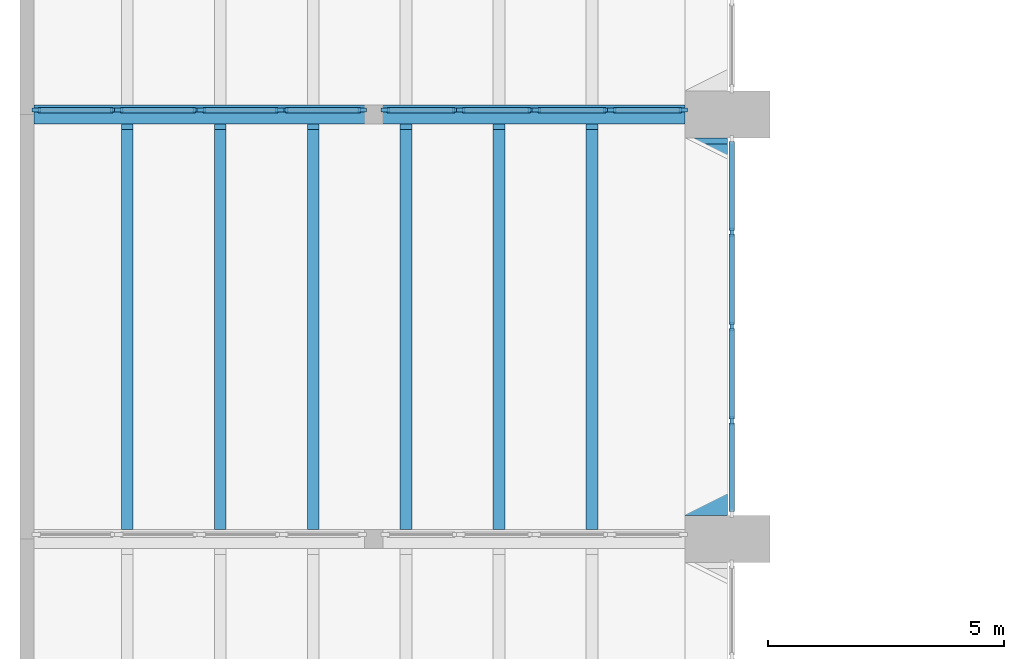
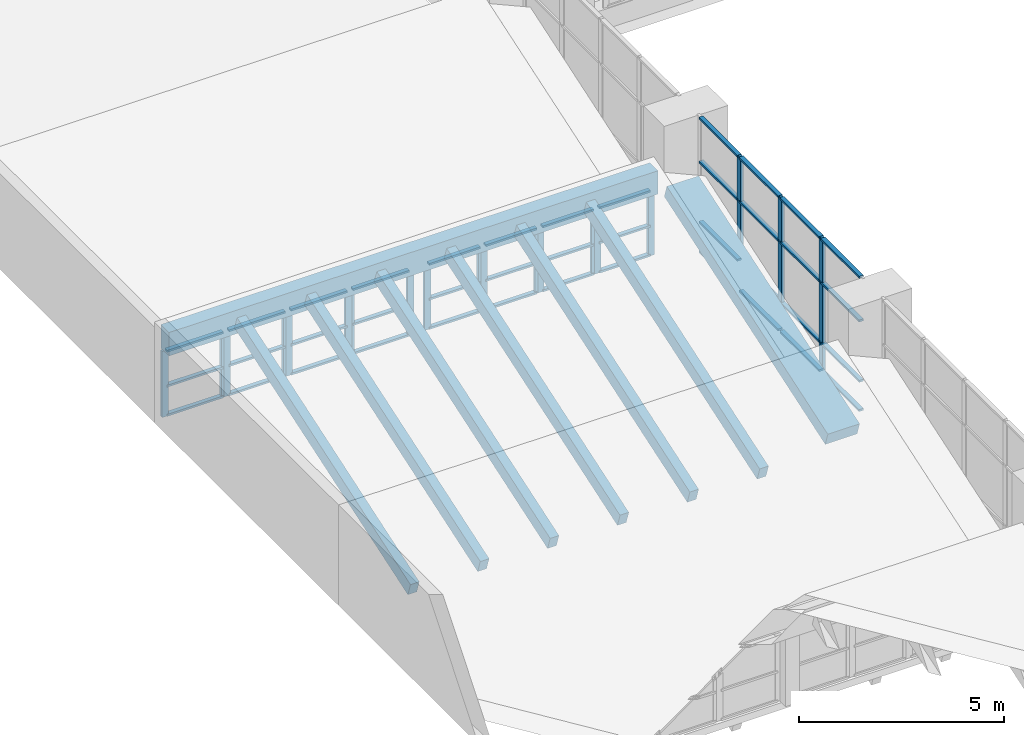
# One storey, part 14 of 43: 59 members, 8 beams, 9 elements without a shape of their own.
"""IFC4 building model written with IfcOpenShell, lengths in metres."""

from ifc_helpers import new_model, si_unit, direction, frame, origin, origin_2d, place, context, subcontext, project, spatial, rectangle, extrude, material, material_profile, profile_set, type_object, element, aggregate, save


model = new_model("IFC4")

# Units and contexts
model_context = context("Model", 3, precision=1e-05, world=origin(), true_north=direction((0.0, 1.0)))
body_context = subcontext(model_context, "Body", "Model", "MODEL_VIEW")
ifc_project = project(units=[si_unit("LENGTHUNIT", "METRE"), si_unit("AREAUNIT", "SQUARE_METRE"), si_unit("VOLUMEUNIT", "CUBIC_METRE"), si_unit("PLANEANGLEUNIT", "RADIAN"), si_unit("MASSUNIT", "GRAM", prefix="KILO")], contexts=[model_context])

# Site, building, storey
site_placement = place(None, origin())
site = spatial("IfcSite", under=ifc_project, at=site_placement, CompositionType="ELEMENT")
building_placement = place(site_placement, origin())
building = spatial("IfcBuilding", under=site, at=building_placement, Name="Elmora Arch Market Hall", CompositionType="ELEMENT")
storey_placement = place(building_placement, frame((0.0, 0.0, 10.199951171875)))
storey = spatial("IfcBuildingStorey", under=building, at=storey_placement, Name="L02", CompositionType="ELEMENT", Elevation=10.199951171875)

# Curtain wall, members
ifc_material_1 = material(Name="Aluminium", Category="aluminium")
curtain_wall_type_1 = type_object("IfcCurtainWallType", Name="Hall front curtain wall", PredefinedType="NOTDEFINED", material=ifc_material_1)
curtain_wall_1_placement = place(storey_placement, origin())
curtain_wall_1 = element("IfcCurtainWall", 1, at=curtain_wall_1_placement, inside=storey, type_object=curtain_wall_type_1, Name="Hall west glazing L02 7", PredefinedType="NOTDEFINED")
ifc_material_2 = material(Name="Aluminium", Category="aluminium")
ifc_material_profile_1 = material_profile(ifc_material_2, rectangle(XDim=0.080078125, YDim=0.179931640625, at=origin_2d()), Name="AL 80x180")
ifc_profile_set_1 = profile_set([ifc_material_profile_1], Name="Aluminium")
member_type_1 = type_object("IfcMemberType", Name="Mullion 80x180", PredefinedType="MULLION", material=ifc_profile_set_1)
member_1_placement = place(storey_placement, frame((15.090087890625, 83.5, 0.166748046875), z_axis=(0.0, 0.0, 1.0), x_axis=(-1.0, 0.0, 0.0)))
member_1 = element("IfcMember", 2, at=member_1_placement, type_object=member_type_1, Name="CW2 mullion 2", PredefinedType="MULLION", context=body_context, shape_type="SweptSolid", body=[
    extrude(rectangle(XDim=0.080078125, YDim=0.179931640625, at=origin_2d()), origin(), (0.0, 0.0, 1.0), 4.033203125),
])
member_2_placement = place(storey_placement, frame((15.090087890625, 85.5, 0.166748046875), z_axis=(0.0, 0.0, 1.0), x_axis=(-1.0, 0.0, 0.0)))
member_2 = element("IfcMember", 3, at=member_2_placement, type_object=member_type_1, Name="CW2 mullion 3", PredefinedType="MULLION", context=body_context, shape_type="SweptSolid", body=[
    extrude(rectangle(XDim=0.080078125, YDim=0.179931640625, at=origin_2d()), origin(), (0.0, 0.0, 1.0), 4.033203125),
])
member_3_placement = place(storey_placement, frame((15.090087890625, 87.5, 0.166748046875), z_axis=(0.0, 0.0, 1.0), x_axis=(-1.0, 0.0, 0.0)))
member_3 = element("IfcMember", 4, at=member_3_placement, type_object=member_type_1, Name="CW2 mullion 4", PredefinedType="MULLION", context=body_context, shape_type="SweptSolid", body=[
    extrude(rectangle(XDim=0.080078125, YDim=0.179931640625, at=origin_2d()), origin(), (0.0, 0.0, 1.0), 4.033203125),
])

ifc_material_3 = material(Name="Aluminium", Category="aluminium")
curtain_wall_type_2 = type_object("IfcCurtainWallType", Name="Sawtooth glazing curtain wall", PredefinedType="NOTDEFINED", material=ifc_material_3)
curtain_wall_2_placement = place(storey_placement, origin())
curtain_wall_2 = element("IfcCurtainWall", 5, at=curtain_wall_2_placement, inside=storey, type_object=curtain_wall_type_2, Name="Sawtooth riser 7 part 1.1", PredefinedType="NOTDEFINED")
member_4_placement = place(storey_placement, frame((0.340087890625, 90.090087890625, 0.030029296875), z_axis=(0.0, 0.0, 1.0), x_axis=(0.0, 1.0, 0.0)))
member_4 = element("IfcMember", 6, at=member_4_placement, type_object=member_type_1, Name="CW7 mullion 1", PredefinedType="MULLION", context=body_context, shape_type="SweptSolid", body=[
    extrude(rectangle(XDim=0.080078125, YDim=0.179931640625, at=origin_2d()), origin(), (0.0, 0.0, 1.0), 1.969970703125),
])
member_5_placement = place(storey_placement, frame((2.010009765625, 90.090087890625, 0.030029296875), z_axis=(0.0, 0.0, 1.0), x_axis=(0.0, 1.0, 0.0)))
member_5 = element("IfcMember", 7, at=member_5_placement, type_object=member_type_1, Name="CW7 mullion 2", PredefinedType="MULLION", context=body_context, shape_type="SweptSolid", body=[
    extrude(rectangle(XDim=0.080078125, YDim=0.179931640625, at=origin_2d()), origin(), (0.0, 0.0, 1.0), 1.969970703125),
])

curtain_wall_3_placement = place(storey_placement, origin())
curtain_wall_3 = element("IfcCurtainWall", 8, at=curtain_wall_3_placement, inside=storey, type_object=curtain_wall_type_2, Name="Sawtooth riser 7 part 1.2", PredefinedType="NOTDEFINED")
member_6_placement = place(storey_placement, frame((2.090087890625, 90.090087890625, 0.030029296875), z_axis=(0.0, 0.0, 1.0), x_axis=(0.0, 1.0, 0.0)))
member_6 = element("IfcMember", 9, at=member_6_placement, type_object=member_type_1, Name="CW7 mullion 1", PredefinedType="MULLION", context=body_context, shape_type="SweptSolid", body=[
    extrude(rectangle(XDim=0.080078125, YDim=0.179931640625, at=origin_2d()), origin(), (0.0, 0.0, 1.0), 1.969970703125),
])
member_7_placement = place(storey_placement, frame((3.760009765625, 90.090087890625, 0.030029296875), z_axis=(0.0, 0.0, 1.0), x_axis=(0.0, 1.0, 0.0)))
member_7 = element("IfcMember", 10, at=member_7_placement, type_object=member_type_1, Name="CW7 mullion 2", PredefinedType="MULLION", context=body_context, shape_type="SweptSolid", body=[
    extrude(rectangle(XDim=0.080078125, YDim=0.179931640625, at=origin_2d()), origin(), (0.0, 0.0, 1.0), 1.969970703125),
])

curtain_wall_4_placement = place(storey_placement, origin())
curtain_wall_4 = element("IfcCurtainWall", 11, at=curtain_wall_4_placement, inside=storey, type_object=curtain_wall_type_2, Name="Sawtooth riser 7 part 1.3", PredefinedType="NOTDEFINED")
member_8_placement = place(storey_placement, frame((3.840087890625, 90.090087890625, 0.030029296875), z_axis=(0.0, 0.0, 1.0), x_axis=(0.0, 1.0, 0.0)))
member_8 = element("IfcMember", 12, at=member_8_placement, type_object=member_type_1, Name="CW7 mullion 1", PredefinedType="MULLION", context=body_context, shape_type="SweptSolid", body=[
    extrude(rectangle(XDim=0.080078125, YDim=0.179931640625, at=origin_2d()), origin(), (0.0, 0.0, 1.0), 1.969970703125),
])
member_9_placement = place(storey_placement, frame((5.510009765625, 90.090087890625, 0.030029296875), z_axis=(0.0, 0.0, 1.0), x_axis=(0.0, 1.0, 0.0)))
member_9 = element("IfcMember", 13, at=member_9_placement, type_object=member_type_1, Name="CW7 mullion 2", PredefinedType="MULLION", context=body_context, shape_type="SweptSolid", body=[
    extrude(rectangle(XDim=0.080078125, YDim=0.179931640625, at=origin_2d()), origin(), (0.0, 0.0, 1.0), 1.969970703125),
])

curtain_wall_5_placement = place(storey_placement, origin())
curtain_wall_5 = element("IfcCurtainWall", 14, at=curtain_wall_5_placement, inside=storey, type_object=curtain_wall_type_2, Name="Sawtooth riser 7 part 1.4", PredefinedType="NOTDEFINED")
member_10_placement = place(storey_placement, frame((5.590087890625, 90.090087890625, 0.030029296875), z_axis=(0.0, 0.0, 1.0), x_axis=(0.0, 1.0, 0.0)))
member_10 = element("IfcMember", 15, at=member_10_placement, type_object=member_type_1, Name="CW7 mullion 1", PredefinedType="MULLION", context=body_context, shape_type="SweptSolid", body=[
    extrude(rectangle(XDim=0.080078125, YDim=0.179931640625, at=origin_2d()), origin(), (0.0, 0.0, 1.0), 1.969970703125),
])
member_11_placement = place(storey_placement, frame((7.260009765625, 90.090087890625, 0.030029296875), z_axis=(0.0, 0.0, 1.0), x_axis=(0.0, 1.0, 0.0)))
member_11 = element("IfcMember", 16, at=member_11_placement, type_object=member_type_1, Name="CW7 mullion 2", PredefinedType="MULLION", context=body_context, shape_type="SweptSolid", body=[
    extrude(rectangle(XDim=0.080078125, YDim=0.179931640625, at=origin_2d()), origin(), (0.0, 0.0, 1.0), 1.969970703125),
])

curtain_wall_6_placement = place(storey_placement, origin())
curtain_wall_6 = element("IfcCurtainWall", 17, at=curtain_wall_6_placement, inside=storey, type_object=curtain_wall_type_2, Name="Sawtooth riser 7 part 2.1", PredefinedType="NOTDEFINED")
member_12_placement = place(storey_placement, frame((7.739990234375, 90.090087890625, 0.030029296875), z_axis=(0.0, 0.0, 1.0), x_axis=(0.0, 1.0, 0.0)))
member_12 = element("IfcMember", 18, at=member_12_placement, type_object=member_type_1, Name="CW7 mullion 1", PredefinedType="MULLION", context=body_context, shape_type="SweptSolid", body=[
    extrude(rectangle(XDim=0.080078125, YDim=0.179931640625, at=origin_2d()), origin(), (0.0, 0.0, 1.0), 1.969970703125),
])
member_13_placement = place(storey_placement, frame((9.260009765625, 90.090087890625, 0.030029296875), z_axis=(0.0, 0.0, 1.0), x_axis=(0.0, 1.0, 0.0)))
member_13 = element("IfcMember", 19, at=member_13_placement, type_object=member_type_1, Name="CW7 mullion 2", PredefinedType="MULLION", context=body_context, shape_type="SweptSolid", body=[
    extrude(rectangle(XDim=0.080078125, YDim=0.179931640625, at=origin_2d()), origin(), (0.0, 0.0, 1.0), 1.969970703125),
])

curtain_wall_7_placement = place(storey_placement, origin())
curtain_wall_7 = element("IfcCurtainWall", 20, at=curtain_wall_7_placement, inside=storey, type_object=curtain_wall_type_2, Name="Sawtooth riser 7 part 2.2", PredefinedType="NOTDEFINED")
member_14_placement = place(storey_placement, frame((9.340087890625, 90.090087890625, 0.030029296875), z_axis=(0.0, 0.0, 1.0), x_axis=(0.0, 1.0, 0.0)))
member_14 = element("IfcMember", 21, at=member_14_placement, type_object=member_type_1, Name="CW7 mullion 1", PredefinedType="MULLION", context=body_context, shape_type="SweptSolid", body=[
    extrude(rectangle(XDim=0.080078125, YDim=0.179931640625, at=origin_2d()), origin(), (0.0, 0.0, 1.0), 1.969970703125),
])
member_15_placement = place(storey_placement, frame((10.860107421875, 90.090087890625, 0.030029296875), z_axis=(0.0, 0.0, 1.0), x_axis=(0.0, 1.0, 0.0)))
member_15 = element("IfcMember", 22, at=member_15_placement, type_object=member_type_1, Name="CW7 mullion 2", PredefinedType="MULLION", context=body_context, shape_type="SweptSolid", body=[
    extrude(rectangle(XDim=0.080078125, YDim=0.179931640625, at=origin_2d()), origin(), (0.0, 0.0, 1.0), 1.969970703125),
])

curtain_wall_8_placement = place(storey_placement, origin())
curtain_wall_8 = element("IfcCurtainWall", 23, at=curtain_wall_8_placement, inside=storey, type_object=curtain_wall_type_2, Name="Sawtooth riser 7 part 2.3", PredefinedType="NOTDEFINED")
member_16_placement = place(storey_placement, frame((10.93994140625, 90.090087890625, 0.030029296875), z_axis=(0.0, 0.0, 1.0), x_axis=(0.0, 1.0, 0.0)))
member_16 = element("IfcMember", 24, at=member_16_placement, type_object=member_type_1, Name="CW7 mullion 1", PredefinedType="MULLION", context=body_context, shape_type="SweptSolid", body=[
    extrude(rectangle(XDim=0.080078125, YDim=0.179931640625, at=origin_2d()), origin(), (0.0, 0.0, 1.0), 1.969970703125),
])
member_17_placement = place(storey_placement, frame((12.4599609375, 90.090087890625, 0.030029296875), z_axis=(0.0, 0.0, 1.0), x_axis=(0.0, 1.0, 0.0)))
member_17 = element("IfcMember", 25, at=member_17_placement, type_object=member_type_1, Name="CW7 mullion 2", PredefinedType="MULLION", context=body_context, shape_type="SweptSolid", body=[
    extrude(rectangle(XDim=0.080078125, YDim=0.179931640625, at=origin_2d()), origin(), (0.0, 0.0, 1.0), 1.969970703125),
])

curtain_wall_9_placement = place(storey_placement, origin())
curtain_wall_9 = element("IfcCurtainWall", 26, at=curtain_wall_9_placement, inside=storey, type_object=curtain_wall_type_2, Name="Sawtooth riser 7 part 2.4", PredefinedType="NOTDEFINED")
member_18_placement = place(storey_placement, frame((12.5400390625, 90.090087890625, 0.030029296875), z_axis=(0.0, 0.0, 1.0), x_axis=(0.0, 1.0, 0.0)))
member_18 = element("IfcMember", 27, at=member_18_placement, type_object=member_type_1, Name="CW7 mullion 1", PredefinedType="MULLION", context=body_context, shape_type="SweptSolid", body=[
    extrude(rectangle(XDim=0.080078125, YDim=0.179931640625, at=origin_2d()), origin(), (0.0, 0.0, 1.0), 1.969970703125),
])
member_19_placement = place(storey_placement, frame((14.06005859375, 90.090087890625, 0.030029296875), z_axis=(0.0, 0.0, 1.0), x_axis=(0.0, 1.0, 0.0)))
member_19 = element("IfcMember", 28, at=member_19_placement, type_object=member_type_1, Name="CW7 mullion 2", PredefinedType="MULLION", context=body_context, shape_type="SweptSolid", body=[
    extrude(rectangle(XDim=0.080078125, YDim=0.179931640625, at=origin_2d()), origin(), (0.0, 0.0, 1.0), 1.969970703125),
])

# Beams
ifc_material_4 = material(Name="Concrete C32/40", Category="concrete")
ifc_material_profile_2 = material_profile(ifc_material_4, rectangle(XDim=0.39990234375, YDim=0.699951171875, at=origin_2d()), Name="Ridge beam 400x700")
ifc_profile_set_2 = profile_set([ifc_material_profile_2], Name="Concrete C32/40")
beam_type_1 = type_object("IfcBeamType", Name="Ridge beam 400x700", PredefinedType="BEAM", material=ifc_profile_set_2)
beam_1_placement = place(storey_placement, frame((0.300048828125, 90.0, 2.35009765625), z_axis=(1.0, 0.0, 0.0), x_axis=(0.0, 1.0, 0.0)))
element("IfcBeam", 29, at=beam_1_placement, inside=storey, type_object=beam_type_1, Name="Ridge beam RB7 L02.1", PredefinedType="BEAM", context=body_context, shape_type="SweptSolid", body=[
    extrude(rectangle(XDim=0.39990234375, YDim=0.699951171875, at=origin_2d()), origin(), (0.0, 0.0, 1.0), 13.800048828125),
])
ifc_material_5 = material(Name="Concrete C32/40", Category="concrete")
ifc_material_profile_3 = material_profile(ifc_material_5, rectangle(XDim=0.89990234375, YDim=0.39990234375, at=origin_2d()), Name="Sawtooth edge beam 900x400")
ifc_profile_set_3 = profile_set([ifc_material_profile_3], Name="Concrete C32/40")
beam_type_2 = type_object("IfcBeamType", Name="Sawtooth edge beam 900x400", PredefinedType="BEAM", material=ifc_profile_set_3)
beam_2_placement = place(storey_placement, frame((14.550048828125, 81.563232421875, -0.322998046875), z_axis=(0.0, 0.948683298051, 0.316227766017), x_axis=(-1.0, 0.0, 0.0)))
element("IfcBeam", 30, at=beam_2_placement, inside=storey, type_object=beam_type_2, Name="Sawtooth edge beam 7", PredefinedType="BEAM", context=body_context, shape_type="SweptSolid", body=[
    extrude(rectangle(XDim=0.89990234375, YDim=0.39990234375, at=origin_2d()), origin(), (0.0, 0.0, 1.0), 8.29931640625),
])
ifc_material_6 = material(Name="Concrete C32/40", Category="concrete")
ifc_material_profile_4 = material_profile(ifc_material_6, rectangle(XDim=0.25, YDim=0.39990234375, at=origin_2d()), Name="Sawtooth rafter 250x400")
ifc_profile_set_4 = profile_set([ifc_material_profile_4], Name="Concrete C32/40")
beam_type_3 = type_object("IfcBeamType", Name="Sawtooth rafter 250x400", PredefinedType="BEAM", material=ifc_profile_set_4)
for number, where, z_axis, x_axis, name in (
    (31, (2.271484375, 81.26318359375, -0.443115234375), (0.0, 0.94868603135, 0.316219565999), (-1.0, 0.0, 0.0), "Sawtooth rafter 7.1"),
    (32, (4.242919921875, 81.26318359375, -0.443115234375), (0.0, 0.94868603135, 0.316219565999), (-1.0, 0.0, 0.0), "Sawtooth rafter 7.2"),
    (33, (6.21435546875, 81.26318359375, -0.443115234375), (0.0, 0.94868603135, 0.316219565999), (-1.0, 0.0, 0.0), "Sawtooth rafter 7.3"),
    (34, (8.185791015625, 81.26318359375, -0.443115234375), (0.0, 0.94868603135, 0.316219565999), (-1.0, 0.0, 0.0), "Sawtooth rafter 7.4"),
    (35, (10.156982421875, 81.26318359375, -0.443115234375), (0.0, 0.94868603135, 0.316219565999), (-1.0, 0.0, 0.0), "Sawtooth rafter 7.5"),
    (36, (12.128662109375, 81.26318359375, -0.443115234375), (0.0, 0.94868603135, 0.316219565999), (-1.0, 0.0, 0.0), "Sawtooth rafter 7.6"),
):
    element("IfcBeam", number, at=place(storey_placement, frame(where, z_axis=z_axis, x_axis=x_axis)), inside=storey, type_object=beam_type_3, Name=name, PredefinedType="BEAM", context=body_context, shape_type="SweptSolid", body=[
        extrude(rectangle(XDim=0.25, YDim=0.39990234375, at=origin_2d()), origin(), (0.0, 0.0, 1.0), 8.931884765625),
    ])

# Member
ifc_material_7 = material(Name="Aluminium", Category="aluminium")
ifc_material_profile_5 = material_profile(ifc_material_7, rectangle(XDim=0.1201171875, YDim=0.06005859375, at=origin_2d()), Name="AL 120x60")
ifc_profile_set_5 = profile_set([ifc_material_profile_5], Name="Aluminium")
member_type_2 = type_object("IfcMemberType", Name="Transom 120x60", PredefinedType="USERDEFINED", material=ifc_profile_set_5)
member_20_placement = place(storey_placement, frame((15.090087890625, 81.580078125, 0.19677734375), z_axis=(0.0, 1.0, 0.0), x_axis=(-1.0, 0.0, 0.0)))
member_20 = element("IfcMember", 37, at=member_20_placement, type_object=member_type_2, Name="CW2 transom 1.1", ObjectType="TRANSOM", PredefinedType="USERDEFINED", context=body_context, shape_type="SweptSolid", body=[
    extrude(rectangle(XDim=0.1201171875, YDim=0.06005859375, at=origin_2d()), origin(), (0.0, 0.0, 1.0), 1.8798828125),
])

member_21_placement = place(storey_placement, frame((15.090087890625, 81.580078125, 1.066650390625), z_axis=(0.0, 1.0, 0.0), x_axis=(-1.0, 0.0, 0.0)))
member_21 = element("IfcMember", 38, at=member_21_placement, type_object=member_type_2, Name="CW2 transom 1.2", ObjectType="TRANSOM", PredefinedType="USERDEFINED", context=body_context, shape_type="SweptSolid", body=[
    extrude(rectangle(XDim=0.1201171875, YDim=0.06005859375, at=origin_2d()), origin(), (0.0, 0.0, 1.0), 1.8798828125),
])

member_22_placement = place(storey_placement, frame((15.090087890625, 81.580078125, 2.86669921875), z_axis=(0.0, 1.0, 0.0), x_axis=(-1.0, 0.0, 0.0)))
member_22 = element("IfcMember", 39, at=member_22_placement, type_object=member_type_2, Name="CW2 transom 1.3", ObjectType="TRANSOM", PredefinedType="USERDEFINED", context=body_context, shape_type="SweptSolid", body=[
    extrude(rectangle(XDim=0.1201171875, YDim=0.06005859375, at=origin_2d()), origin(), (0.0, 0.0, 1.0), 1.8798828125),
])

member_23_placement = place(storey_placement, frame((15.090087890625, 81.580078125, 4.170166015625), z_axis=(0.0, 1.0, 0.0), x_axis=(-1.0, 0.0, 0.0)))
member_23 = element("IfcMember", 40, at=member_23_placement, type_object=member_type_2, Name="CW2 transom 1.4", ObjectType="TRANSOM", PredefinedType="USERDEFINED", context=body_context, shape_type="SweptSolid", body=[
    extrude(rectangle(XDim=0.1201171875, YDim=0.06005859375, at=origin_2d()), origin(), (0.0, 0.0, 1.0), 1.8798828125),
])

member_24_placement = place(storey_placement, frame((15.090087890625, 83.5400390625, 0.19677734375), z_axis=(0.0, 1.0, 0.0), x_axis=(-1.0, 0.0, 0.0)))
member_24 = element("IfcMember", 41, at=member_24_placement, type_object=member_type_2, Name="CW2 transom 2.1", ObjectType="TRANSOM", PredefinedType="USERDEFINED", context=body_context, shape_type="SweptSolid", body=[
    extrude(rectangle(XDim=0.1201171875, YDim=0.06005859375, at=origin_2d()), origin(), (0.0, 0.0, 1.0), 1.919921875),
])

member_25_placement = place(storey_placement, frame((15.090087890625, 83.5400390625, 1.066650390625), z_axis=(0.0, 1.0, 0.0), x_axis=(-1.0, 0.0, 0.0)))
member_25 = element("IfcMember", 42, at=member_25_placement, type_object=member_type_2, Name="CW2 transom 2.2", ObjectType="TRANSOM", PredefinedType="USERDEFINED", context=body_context, shape_type="SweptSolid", body=[
    extrude(rectangle(XDim=0.1201171875, YDim=0.06005859375, at=origin_2d()), origin(), (0.0, 0.0, 1.0), 1.919921875),
])

member_26_placement = place(storey_placement, frame((15.090087890625, 83.5400390625, 2.86669921875), z_axis=(0.0, 1.0, 0.0), x_axis=(-1.0, 0.0, 0.0)))
member_26 = element("IfcMember", 43, at=member_26_placement, type_object=member_type_2, Name="CW2 transom 2.3", ObjectType="TRANSOM", PredefinedType="USERDEFINED", context=body_context, shape_type="SweptSolid", body=[
    extrude(rectangle(XDim=0.1201171875, YDim=0.06005859375, at=origin_2d()), origin(), (0.0, 0.0, 1.0), 1.919921875),
])

member_27_placement = place(storey_placement, frame((15.090087890625, 83.5400390625, 4.170166015625), z_axis=(0.0, 1.0, 0.0), x_axis=(-1.0, 0.0, 0.0)))
member_27 = element("IfcMember", 44, at=member_27_placement, type_object=member_type_2, Name="CW2 transom 2.4", ObjectType="TRANSOM", PredefinedType="USERDEFINED", context=body_context, shape_type="SweptSolid", body=[
    extrude(rectangle(XDim=0.1201171875, YDim=0.06005859375, at=origin_2d()), origin(), (0.0, 0.0, 1.0), 1.919921875),
])

member_28_placement = place(storey_placement, frame((15.090087890625, 85.5400390625, 0.19677734375), z_axis=(0.0, 1.0, 0.0), x_axis=(-1.0, 0.0, 0.0)))
member_28 = element("IfcMember", 45, at=member_28_placement, type_object=member_type_2, Name="CW2 transom 3.1", ObjectType="TRANSOM", PredefinedType="USERDEFINED", context=body_context, shape_type="SweptSolid", body=[
    extrude(rectangle(XDim=0.1201171875, YDim=0.06005859375, at=origin_2d()), origin(), (0.0, 0.0, 1.0), 1.919921875),
])

member_29_placement = place(storey_placement, frame((15.090087890625, 85.5400390625, 1.066650390625), z_axis=(0.0, 1.0, 0.0), x_axis=(-1.0, 0.0, 0.0)))
member_29 = element("IfcMember", 46, at=member_29_placement, type_object=member_type_2, Name="CW2 transom 3.2", ObjectType="TRANSOM", PredefinedType="USERDEFINED", context=body_context, shape_type="SweptSolid", body=[
    extrude(rectangle(XDim=0.1201171875, YDim=0.06005859375, at=origin_2d()), origin(), (0.0, 0.0, 1.0), 1.919921875),
])

member_30_placement = place(storey_placement, frame((15.090087890625, 85.5400390625, 2.86669921875), z_axis=(0.0, 1.0, 0.0), x_axis=(-1.0, 0.0, 0.0)))
member_30 = element("IfcMember", 47, at=member_30_placement, type_object=member_type_2, Name="CW2 transom 3.3", ObjectType="TRANSOM", PredefinedType="USERDEFINED", context=body_context, shape_type="SweptSolid", body=[
    extrude(rectangle(XDim=0.1201171875, YDim=0.06005859375, at=origin_2d()), origin(), (0.0, 0.0, 1.0), 1.919921875),
])

member_31_placement = place(storey_placement, frame((15.090087890625, 85.5400390625, 4.170166015625), z_axis=(0.0, 1.0, 0.0), x_axis=(-1.0, 0.0, 0.0)))
member_31 = element("IfcMember", 48, at=member_31_placement, type_object=member_type_2, Name="CW2 transom 3.4", ObjectType="TRANSOM", PredefinedType="USERDEFINED", context=body_context, shape_type="SweptSolid", body=[
    extrude(rectangle(XDim=0.1201171875, YDim=0.06005859375, at=origin_2d()), origin(), (0.0, 0.0, 1.0), 1.919921875),
])

member_32_placement = place(storey_placement, frame((15.090087890625, 87.5400390625, 0.19677734375), z_axis=(0.0, 1.0, 0.0), x_axis=(-1.0, 0.0, 0.0)))
member_32 = element("IfcMember", 49, at=member_32_placement, type_object=member_type_2, Name="CW2 transom 4.1", ObjectType="TRANSOM", PredefinedType="USERDEFINED", context=body_context, shape_type="SweptSolid", body=[
    extrude(rectangle(XDim=0.1201171875, YDim=0.06005859375, at=origin_2d()), origin(), (0.0, 0.0, 1.0), 1.8798828125),
])

member_33_placement = place(storey_placement, frame((15.090087890625, 87.5400390625, 1.066650390625), z_axis=(0.0, 1.0, 0.0), x_axis=(-1.0, 0.0, 0.0)))
member_33 = element("IfcMember", 50, at=member_33_placement, type_object=member_type_2, Name="CW2 transom 4.2", ObjectType="TRANSOM", PredefinedType="USERDEFINED", context=body_context, shape_type="SweptSolid", body=[
    extrude(rectangle(XDim=0.1201171875, YDim=0.06005859375, at=origin_2d()), origin(), (0.0, 0.0, 1.0), 1.8798828125),
])

member_34_placement = place(storey_placement, frame((15.090087890625, 87.5400390625, 2.86669921875), z_axis=(0.0, 1.0, 0.0), x_axis=(-1.0, 0.0, 0.0)))
member_34 = element("IfcMember", 51, at=member_34_placement, type_object=member_type_2, Name="CW2 transom 4.3", ObjectType="TRANSOM", PredefinedType="USERDEFINED", context=body_context, shape_type="SweptSolid", body=[
    extrude(rectangle(XDim=0.1201171875, YDim=0.06005859375, at=origin_2d()), origin(), (0.0, 0.0, 1.0), 1.8798828125),
])

member_35_placement = place(storey_placement, frame((15.090087890625, 87.5400390625, 4.170166015625), z_axis=(0.0, 1.0, 0.0), x_axis=(-1.0, 0.0, 0.0)))
member_35 = element("IfcMember", 52, at=member_35_placement, type_object=member_type_2, Name="CW2 transom 4.4", ObjectType="TRANSOM", PredefinedType="USERDEFINED", context=body_context, shape_type="SweptSolid", body=[
    extrude(rectangle(XDim=0.1201171875, YDim=0.06005859375, at=origin_2d()), origin(), (0.0, 0.0, 1.0), 1.8798828125),
])

aggregate(curtain_wall_1, [member_1, member_2, member_3, member_20, member_21, member_22, member_23, member_24, member_25, member_26, member_27, member_28, member_29, member_30, member_31, member_32, member_33, member_34, member_35])

member_36_placement = place(storey_placement, frame((0.3798828125, 90.090087890625, 0.06005859375), z_axis=(1.0, 0.0, 0.0), x_axis=(0.0, 1.0, 0.0)))
member_36 = element("IfcMember", 53, at=member_36_placement, type_object=member_type_2, Name="CW7 transom 1.1", ObjectType="TRANSOM", PredefinedType="USERDEFINED", context=body_context, shape_type="SweptSolid", body=[
    extrude(rectangle(XDim=0.1201171875, YDim=0.06005859375, at=origin_2d()), origin(), (0.0, 0.0, 1.0), 1.590087890625),
])

member_37_placement = place(storey_placement, frame((0.3798828125, 90.090087890625, 0.929931640625), z_axis=(1.0, 0.0, 0.0), x_axis=(0.0, 1.0, 0.0)))
member_37 = element("IfcMember", 54, at=member_37_placement, type_object=member_type_2, Name="CW7 transom 1.2", ObjectType="TRANSOM", PredefinedType="USERDEFINED", context=body_context, shape_type="SweptSolid", body=[
    extrude(rectangle(XDim=0.1201171875, YDim=0.06005859375, at=origin_2d()), origin(), (0.0, 0.0, 1.0), 1.590087890625),
])

member_38_placement = place(storey_placement, frame((0.3798828125, 90.090087890625, 1.969970703125), z_axis=(1.0, 0.0, 0.0), x_axis=(0.0, 1.0, 0.0)))
member_38 = element("IfcMember", 55, at=member_38_placement, type_object=member_type_2, Name="CW7 transom 1.3", ObjectType="TRANSOM", PredefinedType="USERDEFINED", context=body_context, shape_type="SweptSolid", body=[
    extrude(rectangle(XDim=0.1201171875, YDim=0.06005859375, at=origin_2d()), origin(), (0.0, 0.0, 1.0), 1.590087890625),
])

aggregate(curtain_wall_2, [member_4, member_5, member_36, member_37, member_38])

member_39_placement = place(storey_placement, frame((2.1298828125, 90.090087890625, 0.06005859375), z_axis=(1.0, 0.0, 0.0), x_axis=(0.0, 1.0, 0.0)))
member_39 = element("IfcMember", 56, at=member_39_placement, type_object=member_type_2, Name="CW7 transom 1.1", ObjectType="TRANSOM", PredefinedType="USERDEFINED", context=body_context, shape_type="SweptSolid", body=[
    extrude(rectangle(XDim=0.1201171875, YDim=0.06005859375, at=origin_2d()), origin(), (0.0, 0.0, 1.0), 1.590087890625),
])

member_40_placement = place(storey_placement, frame((2.1298828125, 90.090087890625, 0.929931640625), z_axis=(1.0, 0.0, 0.0), x_axis=(0.0, 1.0, 0.0)))
member_40 = element("IfcMember", 57, at=member_40_placement, type_object=member_type_2, Name="CW7 transom 1.2", ObjectType="TRANSOM", PredefinedType="USERDEFINED", context=body_context, shape_type="SweptSolid", body=[
    extrude(rectangle(XDim=0.1201171875, YDim=0.06005859375, at=origin_2d()), origin(), (0.0, 0.0, 1.0), 1.590087890625),
])

member_41_placement = place(storey_placement, frame((2.1298828125, 90.090087890625, 1.969970703125), z_axis=(1.0, 0.0, 0.0), x_axis=(0.0, 1.0, 0.0)))
member_41 = element("IfcMember", 58, at=member_41_placement, type_object=member_type_2, Name="CW7 transom 1.3", ObjectType="TRANSOM", PredefinedType="USERDEFINED", context=body_context, shape_type="SweptSolid", body=[
    extrude(rectangle(XDim=0.1201171875, YDim=0.06005859375, at=origin_2d()), origin(), (0.0, 0.0, 1.0), 1.590087890625),
])

aggregate(curtain_wall_3, [member_6, member_7, member_39, member_40, member_41])

member_42_placement = place(storey_placement, frame((3.8798828125, 90.090087890625, 0.06005859375), z_axis=(1.0, 0.0, 0.0), x_axis=(0.0, 1.0, 0.0)))
member_42 = element("IfcMember", 59, at=member_42_placement, type_object=member_type_2, Name="CW7 transom 1.1", ObjectType="TRANSOM", PredefinedType="USERDEFINED", context=body_context, shape_type="SweptSolid", body=[
    extrude(rectangle(XDim=0.1201171875, YDim=0.06005859375, at=origin_2d()), origin(), (0.0, 0.0, 1.0), 1.590087890625),
])

member_43_placement = place(storey_placement, frame((3.8798828125, 90.090087890625, 0.929931640625), z_axis=(1.0, 0.0, 0.0), x_axis=(0.0, 1.0, 0.0)))
member_43 = element("IfcMember", 60, at=member_43_placement, type_object=member_type_2, Name="CW7 transom 1.2", ObjectType="TRANSOM", PredefinedType="USERDEFINED", context=body_context, shape_type="SweptSolid", body=[
    extrude(rectangle(XDim=0.1201171875, YDim=0.06005859375, at=origin_2d()), origin(), (0.0, 0.0, 1.0), 1.590087890625),
])

member_44_placement = place(storey_placement, frame((3.8798828125, 90.090087890625, 1.969970703125), z_axis=(1.0, 0.0, 0.0), x_axis=(0.0, 1.0, 0.0)))
member_44 = element("IfcMember", 61, at=member_44_placement, type_object=member_type_2, Name="CW7 transom 1.3", ObjectType="TRANSOM", PredefinedType="USERDEFINED", context=body_context, shape_type="SweptSolid", body=[
    extrude(rectangle(XDim=0.1201171875, YDim=0.06005859375, at=origin_2d()), origin(), (0.0, 0.0, 1.0), 1.590087890625),
])

aggregate(curtain_wall_4, [member_8, member_9, member_42, member_43, member_44])

member_45_placement = place(storey_placement, frame((5.6298828125, 90.090087890625, 0.06005859375), z_axis=(1.0, 0.0, 0.0), x_axis=(0.0, 1.0, 0.0)))
member_45 = element("IfcMember", 62, at=member_45_placement, type_object=member_type_2, Name="CW7 transom 1.1", ObjectType="TRANSOM", PredefinedType="USERDEFINED", context=body_context, shape_type="SweptSolid", body=[
    extrude(rectangle(XDim=0.1201171875, YDim=0.06005859375, at=origin_2d()), origin(), (0.0, 0.0, 1.0), 1.590087890625),
])

member_46_placement = place(storey_placement, frame((5.6298828125, 90.090087890625, 0.929931640625), z_axis=(1.0, 0.0, 0.0), x_axis=(0.0, 1.0, 0.0)))
member_46 = element("IfcMember", 63, at=member_46_placement, type_object=member_type_2, Name="CW7 transom 1.2", ObjectType="TRANSOM", PredefinedType="USERDEFINED", context=body_context, shape_type="SweptSolid", body=[
    extrude(rectangle(XDim=0.1201171875, YDim=0.06005859375, at=origin_2d()), origin(), (0.0, 0.0, 1.0), 1.590087890625),
])

member_47_placement = place(storey_placement, frame((5.6298828125, 90.090087890625, 1.969970703125), z_axis=(1.0, 0.0, 0.0), x_axis=(0.0, 1.0, 0.0)))
member_47 = element("IfcMember", 64, at=member_47_placement, type_object=member_type_2, Name="CW7 transom 1.3", ObjectType="TRANSOM", PredefinedType="USERDEFINED", context=body_context, shape_type="SweptSolid", body=[
    extrude(rectangle(XDim=0.1201171875, YDim=0.06005859375, at=origin_2d()), origin(), (0.0, 0.0, 1.0), 1.590087890625),
])

aggregate(curtain_wall_5, [member_10, member_11, member_45, member_46, member_47])

member_48_placement = place(storey_placement, frame((7.780029296875, 90.090087890625, 0.06005859375), z_axis=(1.0, 0.0, 0.0), x_axis=(0.0, 1.0, 0.0)))
member_48 = element("IfcMember", 65, at=member_48_placement, type_object=member_type_2, Name="CW7 transom 1.1", ObjectType="TRANSOM", PredefinedType="USERDEFINED", context=body_context, shape_type="SweptSolid", body=[
    extrude(rectangle(XDim=0.1201171875, YDim=0.06005859375, at=origin_2d()), origin(), (0.0, 0.0, 1.0), 1.43994140625),
])

member_49_placement = place(storey_placement, frame((7.780029296875, 90.090087890625, 0.929931640625), z_axis=(1.0, 0.0, 0.0), x_axis=(0.0, 1.0, 0.0)))
member_49 = element("IfcMember", 66, at=member_49_placement, type_object=member_type_2, Name="CW7 transom 1.2", ObjectType="TRANSOM", PredefinedType="USERDEFINED", context=body_context, shape_type="SweptSolid", body=[
    extrude(rectangle(XDim=0.1201171875, YDim=0.06005859375, at=origin_2d()), origin(), (0.0, 0.0, 1.0), 1.43994140625),
])

member_50_placement = place(storey_placement, frame((7.780029296875, 90.090087890625, 1.969970703125), z_axis=(1.0, 0.0, 0.0), x_axis=(0.0, 1.0, 0.0)))
member_50 = element("IfcMember", 67, at=member_50_placement, type_object=member_type_2, Name="CW7 transom 1.3", ObjectType="TRANSOM", PredefinedType="USERDEFINED", context=body_context, shape_type="SweptSolid", body=[
    extrude(rectangle(XDim=0.1201171875, YDim=0.06005859375, at=origin_2d()), origin(), (0.0, 0.0, 1.0), 1.43994140625),
])

aggregate(curtain_wall_6, [member_12, member_13, member_48, member_49, member_50])

member_51_placement = place(storey_placement, frame((9.3798828125, 90.090087890625, 0.06005859375), z_axis=(1.0, 0.0, 0.0), x_axis=(0.0, 1.0, 0.0)))
member_51 = element("IfcMember", 68, at=member_51_placement, type_object=member_type_2, Name="CW7 transom 1.1", ObjectType="TRANSOM", PredefinedType="USERDEFINED", context=body_context, shape_type="SweptSolid", body=[
    extrude(rectangle(XDim=0.1201171875, YDim=0.06005859375, at=origin_2d()), origin(), (0.0, 0.0, 1.0), 1.440185546875),
])

member_52_placement = place(storey_placement, frame((9.3798828125, 90.090087890625, 0.929931640625), z_axis=(1.0, 0.0, 0.0), x_axis=(0.0, 1.0, 0.0)))
member_52 = element("IfcMember", 69, at=member_52_placement, type_object=member_type_2, Name="CW7 transom 1.2", ObjectType="TRANSOM", PredefinedType="USERDEFINED", context=body_context, shape_type="SweptSolid", body=[
    extrude(rectangle(XDim=0.1201171875, YDim=0.06005859375, at=origin_2d()), origin(), (0.0, 0.0, 1.0), 1.440185546875),
])

member_53_placement = place(storey_placement, frame((9.3798828125, 90.090087890625, 1.969970703125), z_axis=(1.0, 0.0, 0.0), x_axis=(0.0, 1.0, 0.0)))
member_53 = element("IfcMember", 70, at=member_53_placement, type_object=member_type_2, Name="CW7 transom 1.3", ObjectType="TRANSOM", PredefinedType="USERDEFINED", context=body_context, shape_type="SweptSolid", body=[
    extrude(rectangle(XDim=0.1201171875, YDim=0.06005859375, at=origin_2d()), origin(), (0.0, 0.0, 1.0), 1.440185546875),
])

aggregate(curtain_wall_7, [member_14, member_15, member_51, member_52, member_53])

member_54_placement = place(storey_placement, frame((10.97998046875, 90.090087890625, 0.06005859375), z_axis=(1.0, 0.0, 0.0), x_axis=(0.0, 1.0, 0.0)))
member_54 = element("IfcMember", 71, at=member_54_placement, type_object=member_type_2, Name="CW7 transom 1.1", ObjectType="TRANSOM", PredefinedType="USERDEFINED", context=body_context, shape_type="SweptSolid", body=[
    extrude(rectangle(XDim=0.1201171875, YDim=0.06005859375, at=origin_2d()), origin(), (0.0, 0.0, 1.0), 1.43994140625),
])

member_55_placement = place(storey_placement, frame((10.97998046875, 90.090087890625, 0.929931640625), z_axis=(1.0, 0.0, 0.0), x_axis=(0.0, 1.0, 0.0)))
member_55 = element("IfcMember", 72, at=member_55_placement, type_object=member_type_2, Name="CW7 transom 1.2", ObjectType="TRANSOM", PredefinedType="USERDEFINED", context=body_context, shape_type="SweptSolid", body=[
    extrude(rectangle(XDim=0.1201171875, YDim=0.06005859375, at=origin_2d()), origin(), (0.0, 0.0, 1.0), 1.43994140625),
])

member_56_placement = place(storey_placement, frame((10.97998046875, 90.090087890625, 1.969970703125), z_axis=(1.0, 0.0, 0.0), x_axis=(0.0, 1.0, 0.0)))
member_56 = element("IfcMember", 73, at=member_56_placement, type_object=member_type_2, Name="CW7 transom 1.3", ObjectType="TRANSOM", PredefinedType="USERDEFINED", context=body_context, shape_type="SweptSolid", body=[
    extrude(rectangle(XDim=0.1201171875, YDim=0.06005859375, at=origin_2d()), origin(), (0.0, 0.0, 1.0), 1.43994140625),
])

aggregate(curtain_wall_8, [member_16, member_17, member_54, member_55, member_56])

member_57_placement = place(storey_placement, frame((12.580078125, 90.090087890625, 0.06005859375), z_axis=(1.0, 0.0, 0.0), x_axis=(0.0, 1.0, 0.0)))
member_57 = element("IfcMember", 74, at=member_57_placement, type_object=member_type_2, Name="CW7 transom 1.1", ObjectType="TRANSOM", PredefinedType="USERDEFINED", context=body_context, shape_type="SweptSolid", body=[
    extrude(rectangle(XDim=0.1201171875, YDim=0.06005859375, at=origin_2d()), origin(), (0.0, 0.0, 1.0), 1.43994140625),
])

member_58_placement = place(storey_placement, frame((12.580078125, 90.090087890625, 0.929931640625), z_axis=(1.0, 0.0, 0.0), x_axis=(0.0, 1.0, 0.0)))
member_58 = element("IfcMember", 75, at=member_58_placement, type_object=member_type_2, Name="CW7 transom 1.2", ObjectType="TRANSOM", PredefinedType="USERDEFINED", context=body_context, shape_type="SweptSolid", body=[
    extrude(rectangle(XDim=0.1201171875, YDim=0.06005859375, at=origin_2d()), origin(), (0.0, 0.0, 1.0), 1.43994140625),
])

member_59_placement = place(storey_placement, frame((12.580078125, 90.090087890625, 1.969970703125), z_axis=(1.0, 0.0, 0.0), x_axis=(0.0, 1.0, 0.0)))
member_59 = element("IfcMember", 76, at=member_59_placement, type_object=member_type_2, Name="CW7 transom 1.3", ObjectType="TRANSOM", PredefinedType="USERDEFINED", context=body_context, shape_type="SweptSolid", body=[
    extrude(rectangle(XDim=0.1201171875, YDim=0.06005859375, at=origin_2d()), origin(), (0.0, 0.0, 1.0), 1.43994140625),
])

aggregate(curtain_wall_9, [member_18, member_19, member_57, member_58, member_59])

save(model, "model.ifc")
